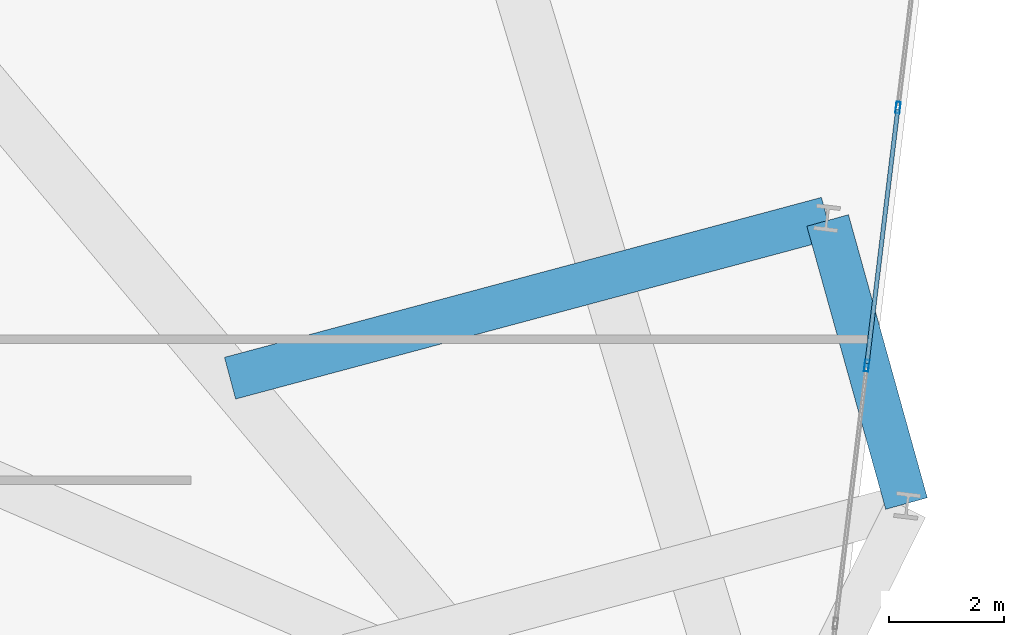
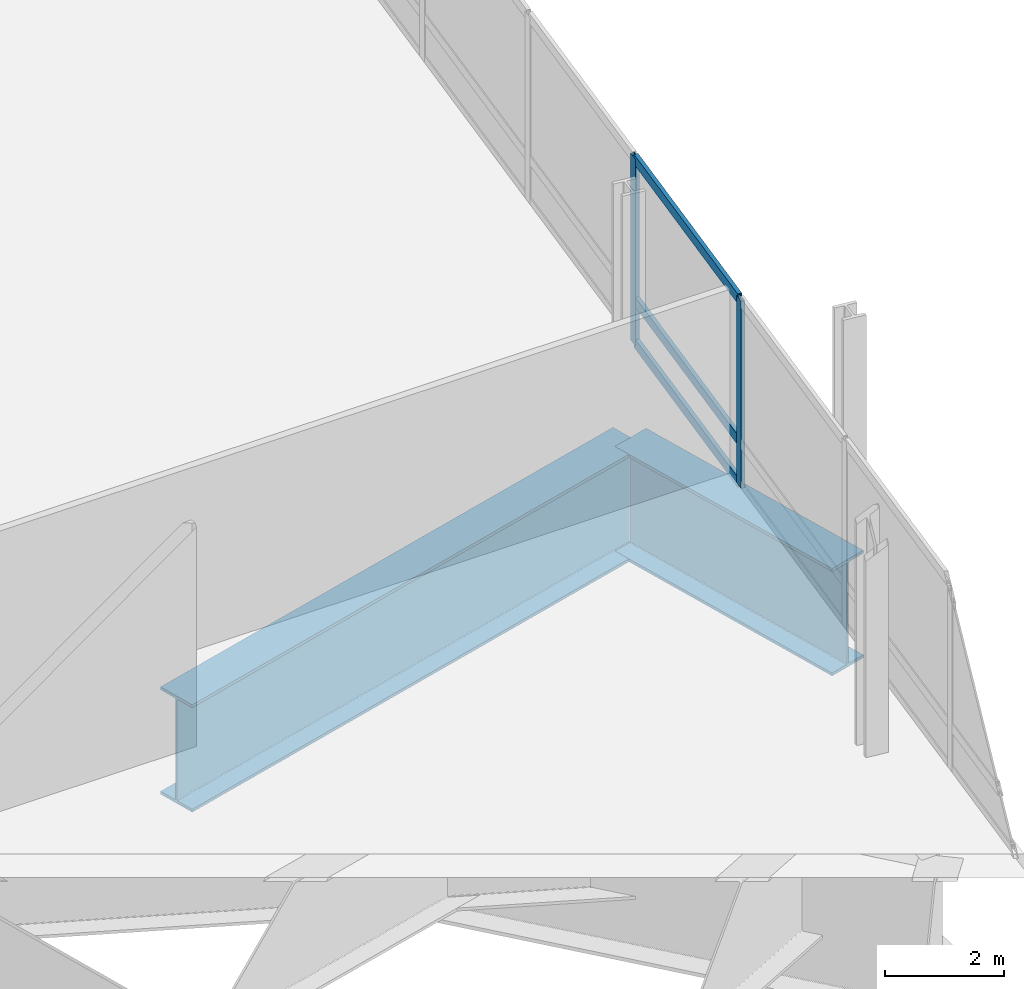
# One storey, part 12 of 22: 5 members, 2 beams, 1 element without a shape of its own.
"""IFC4 building model written with IfcOpenShell, lengths in metres."""

from ifc_helpers import new_model, si_unit, direction, frame, origin, origin_2d, place, context, subcontext, project, spatial, hollow_rectangle, i_section, extrude, material, layer, layer_set, material_profile, profile_set, type_object, element, aggregate, save


model = new_model("IFC4")

# Units and contexts
model_context = context("Model", 3, precision=1e-05, world=origin(), true_north=direction((0.0, 1.0)))
body_context = subcontext(model_context, "Body", "Model", "MODEL_VIEW")
ifc_project = project(units=[si_unit("LENGTHUNIT", "METRE"), si_unit("AREAUNIT", "SQUARE_METRE"), si_unit("VOLUMEUNIT", "CUBIC_METRE"), si_unit("PLANEANGLEUNIT", "RADIAN"), si_unit("MASSUNIT", "GRAM", prefix="KILO")], contexts=[model_context])

# Site, building, storey
site_placement = place(None, origin())
site = spatial("IfcSite", under=ifc_project, at=site_placement, CompositionType="ELEMENT")
building_placement = place(site_placement, origin())
building = spatial("IfcBuilding", under=site, at=building_placement, Name="Varnelok Gate Tower", CompositionType="ELEMENT")
storey_placement = place(building_placement, frame((0.0, 0.0, 116.89990234375)))
storey = spatial("IfcBuildingStorey", under=building, at=storey_placement, Name="L29", CompositionType="ELEMENT", Elevation=116.89990234375)

# Beams
ifc_material_1 = material(Name="Structural Steel ASTM A572 Grade 50", Category="steel")
ifc_material_profile_1 = material_profile(ifc_material_1, i_section(OverallWidth=0.75, OverallDepth=2.199951171875, WebThickness=0.031982421875, FlangeThickness=0.06005859375, FilletRadius=0.028076171875, at=origin_2d()), Name="PG2200X750")
ifc_profile_set_1 = profile_set([ifc_material_profile_1], Name="Structural Steel ASTM A572 Grade 50")
beam_type = type_object("IfcBeamType", Name="BM-TR-PG2200", PredefinedType="BEAM", material=ifc_profile_set_1)
beam_1_placement = place(storey_placement, frame((62.67578125, 18.620361328125, -1.419921875), z_axis=(0.965924701619, 0.258823242393, 0.0), x_axis=(-0.258823242393, 0.965924701619, 0.0)))
element("IfcBeam", 1, at=beam_1_placement, inside=storey, type_object=beam_type, Name="L29 Column Transfer Carrier Girder 8", PredefinedType="BEAM", context=body_context, shape_type="SweptSolid", body=[
    extrude(i_section(OverallWidth=0.75, OverallDepth=2.199951171875, WebThickness=0.031982421875, FlangeThickness=0.06005859375, FilletRadius=0.028076171875, at=origin_2d()), origin(), (0.0, 0.0, 1.0), 10.734375),
])
beam_2_placement = place(storey_placement, frame((74.4248046875, 16.443359375, -1.419921875), z_axis=(-0.268346906402, 0.963322343676, 0.0), x_axis=(-0.963322343676, -0.268346906402, 0.0)))
element("IfcBeam", 2, at=beam_2_placement, inside=storey, type_object=beam_type, Name="L29 Upper Perimeter Transfer Ring 7", PredefinedType="BEAM", context=body_context, shape_type="SweptSolid", body=[
    extrude(i_section(OverallWidth=0.75, OverallDepth=2.199951171875, WebThickness=0.031982421875, FlangeThickness=0.06005859375, FilletRadius=0.028076171875, at=origin_2d()), origin(), (0.0, 0.0, 1.0), 5.10400390625),
])

# Curtain wall, members
ifc_material_2 = material(Name="Anodized Aluminum Alloy 6063-T6", Category="aluminium")
ifc_layer = layer(ifc_material_2, 0.179931640625)
ifc_layer_set = layer_set([ifc_layer], Name="Anodized Aluminum Alloy 6063-T6")
curtain_wall_type = type_object("IfcCurtainWallType", Name="CW2-ATRIUM-GLAZING", PredefinedType="USERDEFINED", material=ifc_layer_set)
curtain_wall_placement = place(storey_placement, origin())
curtain_wall = element("IfcCurtainWall", 3, at=curtain_wall_placement, inside=storey, type_object=curtain_wall_type, Name="L29 East End Vision Curtain Wall", ObjectType="UNITISED CURTAIN WALL", PredefinedType="USERDEFINED")
ifc_material_profile_2 = material_profile(ifc_material_2, hollow_rectangle(XDim=0.074951171875, YDim=0.199951171875, WallThickness=0.00390625, at=origin_2d()), Name="ALU200X75X4")
ifc_profile_set_2 = profile_set([ifc_material_profile_2], Name="Anodized Aluminum Alloy 6063-T6")
member_type_1 = type_object("IfcMemberType", Name="CW-MULL-200", PredefinedType="MULLION", material=ifc_profile_set_2)
member_1_placement = place(storey_placement, frame((74.27685546875, 23.321533203125, 0.0), z_axis=(0.0, 0.0, 1.0), x_axis=(0.992732166735, -0.120344692987, 0.0)))
member_1 = element("IfcMember", 4, at=member_1_placement, type_object=member_type_1, Name="CW2 mullion 4", PredefinedType="MULLION", context=body_context, shape_type="SweptSolid", body=[
    extrude(hollow_rectangle(XDim=0.074951171875, YDim=0.199951171875, WallThickness=0.00390625, at=origin_2d()), origin(), (0.0, 0.0, 1.0), 3.830078125),
])
member_2_placement = place(storey_placement, frame((73.7333984375, 18.83984375, 0.0), z_axis=(0.0, 0.0, 1.0), x_axis=(0.992732166735, -0.120344692987, 0.0)))
member_2 = element("IfcMember", 5, at=member_2_placement, type_object=member_type_1, Name="CW2 mullion 5", PredefinedType="MULLION", context=body_context, shape_type="SweptSolid", body=[
    extrude(hollow_rectangle(XDim=0.074951171875, YDim=0.199951171875, WallThickness=0.00390625, at=origin_2d()), origin(), (0.0, 0.0, 1.0), 3.830078125),
])
ifc_material_profile_3 = material_profile(ifc_material_2, hollow_rectangle(XDim=0.074951171875, YDim=0.199951171875, WallThickness=0.00390625, at=origin_2d()), Name="ALU200X75X4")
ifc_profile_set_3 = profile_set([ifc_material_profile_3], Name="Anodized Aluminum Alloy 6063-T6")
member_type_2 = type_object("IfcMemberType", Name="CW-TRAN-200", PredefinedType="USERDEFINED", material=ifc_profile_set_3)
member_3_placement = place(storey_placement, frame((74.272216796875, 23.2841796875, 0.03759765625), z_axis=(-0.120331367519, -0.992733782034, 0.0), x_axis=(0.992733782034, -0.120331367519, 0.0)))
member_3 = element("IfcMember", 6, at=member_3_placement, type_object=member_type_2, Name="CW2 transom 4.1", ObjectType="TRANSOM", PredefinedType="USERDEFINED", context=body_context, shape_type="SweptSolid", body=[
    extrude(hollow_rectangle(XDim=0.074951171875, YDim=0.199951171875, WallThickness=0.00390625, at=origin_2d()), origin(), (0.0, 0.0, 1.0), 4.439208984375),
])
member_4_placement = place(storey_placement, frame((74.272216796875, 23.2841796875, 0.900146484375), z_axis=(-0.120331367519, -0.992733782034, 0.0), x_axis=(0.992733782034, -0.120331367519, 0.0)))
member_4 = element("IfcMember", 7, at=member_4_placement, type_object=member_type_2, Name="CW2 transom 4.2", ObjectType="TRANSOM", PredefinedType="USERDEFINED", context=body_context, shape_type="SweptSolid", body=[
    extrude(hollow_rectangle(XDim=0.074951171875, YDim=0.199951171875, WallThickness=0.00390625, at=origin_2d()), origin(), (0.0, 0.0, 1.0), 4.439208984375),
])
member_5_placement = place(storey_placement, frame((74.272216796875, 23.2841796875, 3.79248046875), z_axis=(-0.120331367519, -0.992733782034, 0.0), x_axis=(0.992733782034, -0.120331367519, 0.0)))
member_5 = element("IfcMember", 8, at=member_5_placement, type_object=member_type_2, Name="CW2 transom 4.3", ObjectType="TRANSOM", PredefinedType="USERDEFINED", context=body_context, shape_type="SweptSolid", body=[
    extrude(hollow_rectangle(XDim=0.074951171875, YDim=0.199951171875, WallThickness=0.00390625, at=origin_2d()), origin(), (0.0, 0.0, 1.0), 4.439208984375),
])
aggregate(curtain_wall, [member_1, member_2, member_3, member_4, member_5])

save(model, "model.ifc")
